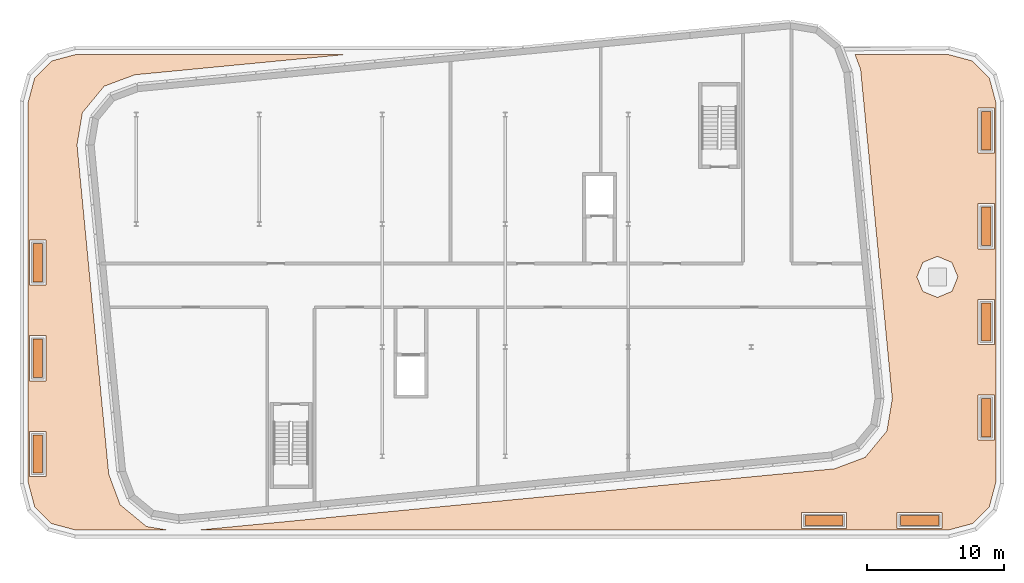
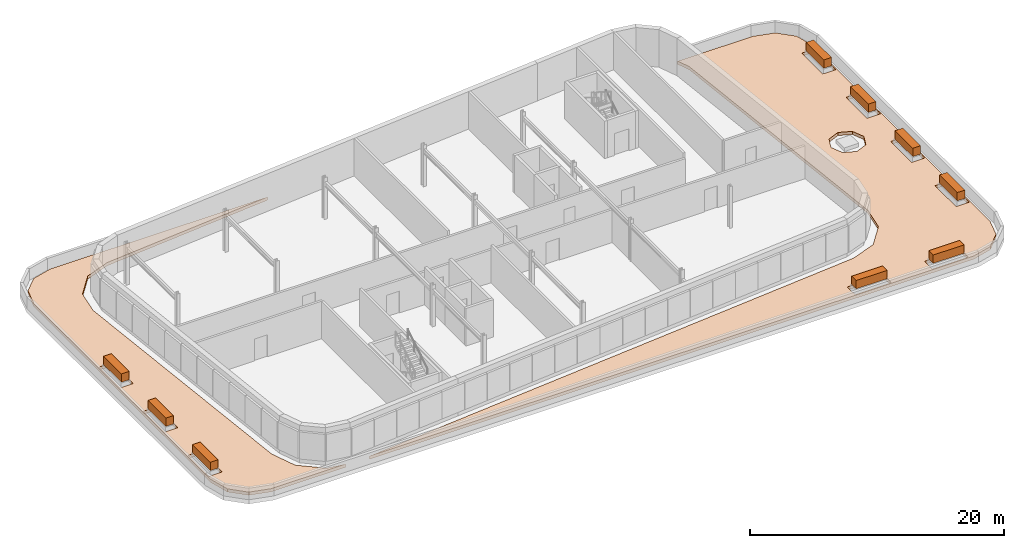
# One storey, part 7 of 7: 11 geographic elements.
"""IFC4 building model written with IfcOpenShell, lengths in metres."""

from ifc_helpers import new_model, si_unit, direction, frame, origin, origin_2d, place, context, subcontext, project, spatial, polyline, rectangle, outline, extrude, element, save


model = new_model("IFC4")

# Units and contexts
model_context = context("Model", 3, precision=1e-05, world=origin(), true_north=direction((0.0, 1.0)))
body_context = subcontext(model_context, "Body", "Model", "MODEL_VIEW")
ifc_project = project(units=[si_unit("LENGTHUNIT", "METRE"), si_unit("AREAUNIT", "SQUARE_METRE"), si_unit("VOLUMEUNIT", "CUBIC_METRE"), si_unit("PLANEANGLEUNIT", "RADIAN"), si_unit("MASSUNIT", "GRAM", prefix="KILO")], contexts=[model_context])

# Site, building, storey
site_placement = place(None, origin())
site = spatial("IfcSite", under=ifc_project, at=site_placement, CompositionType="ELEMENT")
building_placement = place(site_placement, origin())
building = spatial("IfcBuilding", under=site, at=building_placement, Name="Kajstack Hotel Tower", CompositionType="ELEMENT")
storey_placement = place(building_placement, frame((0.0, 0.0, 317.800048828125)))
storey = spatial("IfcBuildingStorey", under=building, at=storey_placement, Name="L80", CompositionType="ELEMENT", Elevation=317.800048828125)

# Geographic elements
for number, where, z_axis, x_axis, name in (
    (1, (-34.199951171875, -12.328857421875, 0.60009765625), (0.0, 0.0, 1.0), (0.0, 1.0, 0.0), "Planting L80-01-01"),
    (2, (-34.199951171875, -5.328857421875, 0.60009765625), (0.0, 0.0, 1.0), (0.0, 1.0, 0.0), "Planting L80-01-02"),
    (3, (-34.199951171875, 1.671142578125, 0.60009765625), (0.0, 0.0, 1.0), (0.0, 1.0, 0.0), "Planting L80-01-03"),
    (4, (35.199951171875, 11.328857421875, 0.60009765625), (0.0, 0.0, 1.0), (0.0, -1.0, 0.0), "Planting L80-01-04"),
    (5, (35.199951171875, 4.328857421875, 0.60009765625), (0.0, 0.0, 1.0), (0.0, -1.0, 0.0), "Planting L80-01-05"),
    (6, (35.199951171875, -2.671142578125, 0.60009765625), (0.0, 0.0, 1.0), (0.0, -1.0, 0.0), "Planting L80-01-06"),
    (7, (35.199951171875, -9.671142578125, 0.60009765625), (0.0, 0.0, 1.0), (0.0, -1.0, 0.0), "Planting L80-01-07"),
    (8, (30.328857421875, -17.199951171875, 0.60009765625), (0.0, 0.0, 1.0), (-1.0, 0.0, 0.0), "Planting L80-01-08"),
    (9, (23.328857421875, -17.199951171875, 0.60009765625), (0.0, 0.0, 1.0), (-1.0, 0.0, 0.0), "Planting L80-01-09"),
):
    element("IfcGeographicElement", number, at=place(storey_placement, frame(where, z_axis=z_axis, x_axis=x_axis)), inside=storey, Name=name, ObjectType="PLANTING", PredefinedType="USERDEFINED", context=body_context, shape_type="SweptSolid", body=[
        extrude(rectangle(XDim=2.800048828125, YDim=0.699951171875, at=origin_2d()), origin(), (0.0, 0.0, 1.0), 0.800048828125),
    ])
geographic_element_1_placement = place(storey_placement, origin())
element("IfcGeographicElement", 10, at=geographic_element_1_placement, inside=storey, Name="Green roof L80-01-01", ObjectType="PLANTING", PredefinedType="USERDEFINED", context=body_context, shape_type="SweptSolid", body=[
    extrude(outline(polyline([(24.1044921875, -13.412109375), (-22.47119140625, -17.89697265625), (-22.470947265625, -17.89990234375), (32.4208984375, -17.89990234375), (34.189453125, -17.42626953125), (35.42626953125, -16.189453125), (35.89990234375, -14.4208984375), (35.89990234375, 13.4208984375), (35.42626953125, 15.189453125), (34.189453125, 16.42626953125), (32.4208984375, 16.89990234375), (25.599609375, 16.89990234375), (26.007080078125, 15.809814453125), (28.32763671875, -8.289306640625), (27.93310546875, -10.646728515625), (26.343505859375, -12.5751953125), (24.1044921875, -13.412109375)]), holes=[polyline([(34.60009765625, -8.021240234375), (35.800048828125, -8.021240234375), (35.800048828125, -11.321044921875), (34.60009765625, -11.321044921875), (34.60009765625, -8.021240234375)]), polyline([(35.800048828125, 12.978759765625), (35.800048828125, 9.678955078125), (34.60009765625, 9.678955078125), (34.60009765625, 12.978759765625), (35.800048828125, 12.978759765625)]), polyline([(34.60009765625, -4.321044921875), (34.60009765625, -1.021240234375), (35.800048828125, -1.021240234375), (35.800048828125, -4.321044921875), (34.60009765625, -4.321044921875)]), polyline([(35.800048828125, 2.678955078125), (34.60009765625, 2.678955078125), (34.60009765625, 5.978759765625), (35.800048828125, 5.978759765625), (35.800048828125, 2.678955078125)]), polyline([(32.685546875, 1.685546875), (33.125, 0.625), (32.685546875, -0.435546875), (31.625, -0.875), (30.564453125, -0.435546875), (30.125, 0.625), (30.564453125, 1.685546875), (31.625, 2.125), (32.685546875, 1.685546875)]), polyline([(31.978759765625, -17.800048828125), (28.678955078125, -17.800048828125), (28.678955078125, -16.60009765625), (31.978759765625, -16.60009765625), (31.978759765625, -17.800048828125)]), polyline([(21.678955078125, -17.800048828125), (21.678955078125, -16.60009765625), (24.978759765625, -16.60009765625), (24.978759765625, -17.800048828125), (21.678955078125, -17.800048828125)])]), origin(), (0.0, 0.0, 1.0), 0.300048828125),
])
geographic_element_2_placement = place(storey_placement, origin())
element("IfcGeographicElement", 11, at=geographic_element_2_placement, inside=storey, Name="Green roof L80-01-02", ObjectType="PLANTING", PredefinedType="USERDEFINED", context=body_context, shape_type="SweptSolid", body=[
    extrude(outline(polyline([(-27.1044921875, 15.412109375), (-11.68505859375, 16.89697265625), (-11.68505859375, 16.89990234375), (-31.4208984375, 16.89990234375), (-33.189453125, 16.42626953125), (-34.42626953125, 15.189453125), (-34.89990234375, 13.4208984375), (-34.89990234375, -14.4208984375), (-34.42626953125, -16.189453125), (-33.189453125, -17.42626953125), (-31.4208984375, -17.89990234375), (-24.693359375, -17.89990234375), (-24.693115234375, -17.897705078125), (-26.241455078125, -17.638671875), (-28.170166015625, -16.048828125), (-29.007080078125, -13.809814453125), (-31.32763671875, 10.289306640625), (-30.93310546875, 12.646728515625), (-29.343505859375, 14.5751953125), (-27.1044921875, 15.412109375)]), holes=[polyline([(-34.800048828125, -10.678955078125), (-33.60009765625, -10.678955078125), (-33.60009765625, -13.978759765625), (-34.800048828125, -13.978759765625), (-34.800048828125, -10.678955078125)]), polyline([(-33.60009765625, -3.678955078125), (-33.60009765625, -6.978759765625), (-34.800048828125, -6.978759765625), (-34.800048828125, -3.678955078125), (-33.60009765625, -3.678955078125)]), polyline([(-33.60009765625, 0.021240234375), (-34.800048828125, 0.021240234375), (-34.800048828125, 3.321044921875), (-33.60009765625, 3.321044921875), (-33.60009765625, 0.021240234375)])]), origin(), (0.0, 0.0, 1.0), 0.300048828125),
])

save(model, "model.ifc")
